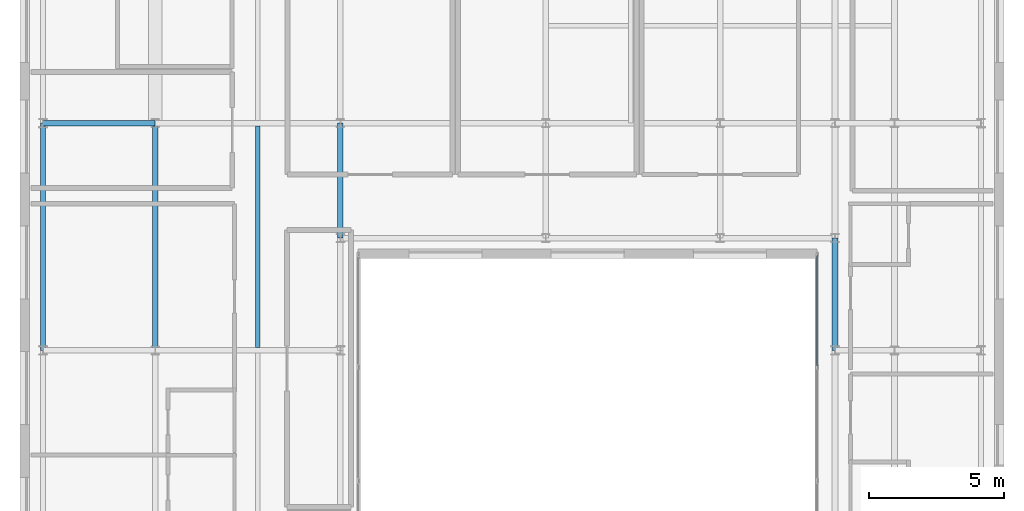
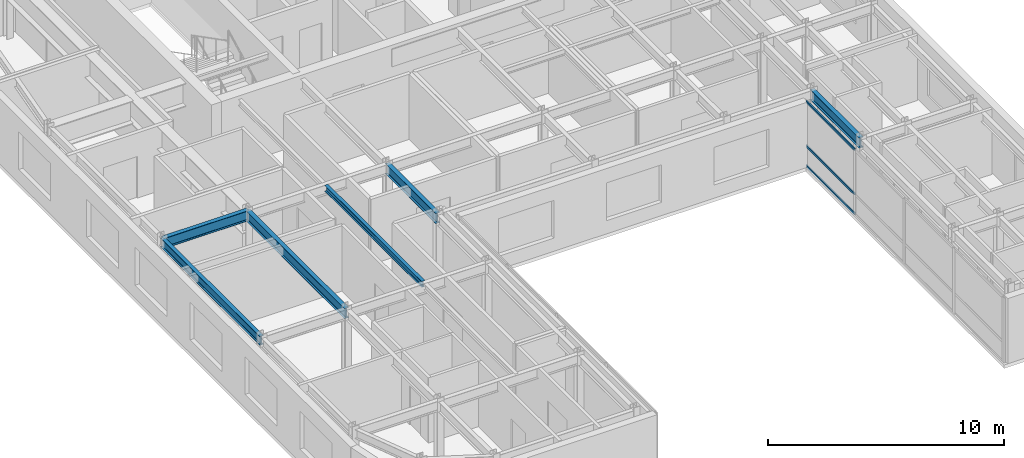
# One storey, part 8 of 18: 6 beams, 3 members, 1 element without a shape of its own.
"""IFC4 building model written with IfcOpenShell, lengths in metres."""

from ifc_helpers import new_model, si_unit, direction, frame, origin, origin_2d, place, context, subcontext, project, spatial, hollow_rectangle, i_section, extrude, source, transform, mapped, material, layer, layer_set, material_profile, profile_set, type_object, type_shapes, element, aggregate, save


model = new_model("IFC4")

# Units and contexts
model_context = context("Model", 3, precision=1e-05, world=origin(), true_north=direction((0.0, 1.0)))
body_context = subcontext(model_context, "Body", "Model", "MODEL_VIEW")
ifc_project = project(units=[si_unit("LENGTHUNIT", "METRE"), si_unit("AREAUNIT", "SQUARE_METRE"), si_unit("VOLUMEUNIT", "CUBIC_METRE"), si_unit("PLANEANGLEUNIT", "RADIAN"), si_unit("MASSUNIT", "GRAM", prefix="KILO")], contexts=[model_context])

# Site, building, storey
site_placement = place(None, origin())
site = spatial("IfcSite", under=ifc_project, at=site_placement, CompositionType="ELEMENT")
building_placement = place(site_placement, origin())
building = spatial("IfcBuilding", under=site, at=building_placement, Name="Tolvann Quenvar Hotel", CompositionType="ELEMENT")
storey_placement = place(building_placement, frame((0.0, 0.0, 252.300048828125)))
storey = spatial("IfcBuildingStorey", under=building, at=storey_placement, Name="L67", CompositionType="ELEMENT", Elevation=252.300048828125)

# Beams
ifc_material_1 = material(Name="Steel Grade 350", Category="steel")
ifc_material_profile_1 = material_profile(ifc_material_1, i_section(OverallWidth=0.208984375, OverallDepth=0.532958984375, WebThickness=0.01025390625, FlangeThickness=0.015625, FilletRadius=0.013916015625, at=origin_2d()), Name="530UB92")
ifc_profile_set_1 = profile_set([ifc_material_profile_1], Name="Steel Grade 350")
beam_type_1 = type_object("IfcBeamType", Name="BM_GIRD_530UB92", PredefinedType="BEAM", material=ifc_profile_set_1)
shared_shape_1 = source(origin(), body_context, "Body", "SweptSolid", [
    extrude(i_section(OverallWidth=0.208984375, OverallDepth=0.532958984375, WebThickness=0.01025390625, FlangeThickness=0.015625, FilletRadius=0.013916015625, at=origin_2d()), origin(), (0.0, 0.0, 1.0), 8.39990234375),
])
beam_1_placement = place(storey_placement, frame((7.60009765625, 16.0, 3.103515625), z_axis=(0.0, 1.0, 0.0), x_axis=(-1.0, 0.0, 0.0)))
element("IfcBeam", 1, at=beam_1_placement, inside=storey, type_object=beam_type_1, Name="BM-L67-NS-C4-C5", PredefinedType="BEAM", context=body_context, shape_type="MappedRepresentation", body=[
    mapped(shared_shape_1, transform((0.0, 0.0, 0.0), x_axis=(1.0, 0.0, 0.0), y_axis=(0.0, 1.0, 0.0), z_axis=(0.0, 0.0, 1.0), scale=1.0)),
])
ifc_material_profile_2 = material_profile(ifc_material_1, i_section(OverallWidth=0.19091796875, OverallDepth=0.4599609375, WebThickness=0.010009765625, FlangeThickness=0.01611328125, FilletRadius=0.011474609375, at=origin_2d()), Name="460UB82")
ifc_profile_set_2 = profile_set([ifc_material_profile_2], Name="Steel Grade 350")
beam_type_2 = type_object("IfcBeamType", Name="BM_SPAND_460UB82", PredefinedType="SPANDREL", material=ifc_profile_set_2)
shared_shape_2 = source(origin(), body_context, "Body", "SweptSolid", [
    extrude(i_section(OverallWidth=0.19091796875, OverallDepth=0.4599609375, WebThickness=0.010009765625, FlangeThickness=0.01611328125, FilletRadius=0.011474609375, at=origin_2d()), origin(), (0.0, 0.0, 1.0), 8.39990234375),
])
type_shapes(beam_type_2, [shared_shape_2])
beam_2_placement = place(storey_placement, frame((3.449951171875, 16.0, 3.139892578125), z_axis=(0.0, 1.0, 0.0), x_axis=(-1.0, 0.0, 0.0)))
element("IfcBeam", 2, at=beam_2_placement, inside=storey, type_object=beam_type_2, Name="BM-L67-NS-B4-B5", PredefinedType="SPANDREL", context=body_context, shape_type="MappedRepresentation", body=[
    mapped(shared_shape_2, transform((0.0, 0.0, 0.0), x_axis=(1.0, 0.0, 0.0), y_axis=(0.0, 1.0, 0.0), z_axis=(0.0, 0.0, 1.0), scale=1.0)),
])
shared_shape_3 = source(origin(), body_context, "Body", "SweptSolid", [
    extrude(i_section(OverallWidth=0.208984375, OverallDepth=0.532958984375, WebThickness=0.01025390625, FlangeThickness=0.015625, FilletRadius=0.013916015625, at=origin_2d()), origin(), (0.0, 0.0, 1.0), 4.150146484375),
])
beam_3_placement = place(storey_placement, frame((3.449951171875, 24.39990234375, 3.103515625), z_axis=(1.0, 0.0, 0.0), x_axis=(0.0, 1.0, 0.0)))
element("IfcBeam", 3, at=beam_3_placement, inside=storey, type_object=beam_type_1, Name="BM-L67-EW-5-B5-C5", PredefinedType="BEAM", context=body_context, shape_type="MappedRepresentation", body=[
    mapped(shared_shape_3, transform((0.0, 0.0, 0.0), x_axis=(1.0, 0.0, 0.0), y_axis=(0.0, 1.0, 0.0), z_axis=(0.0, 0.0, 1.0), scale=1.0)),
])
shared_shape_4 = source(origin(), body_context, "Body", "SweptSolid", [
    extrude(i_section(OverallWidth=0.208984375, OverallDepth=0.532958984375, WebThickness=0.01025390625, FlangeThickness=0.015625, FilletRadius=0.013916015625, at=origin_2d()), origin(), (0.0, 0.0, 1.0), 4.25),
])
beam_4_placement = place(storey_placement, frame((14.449951171875, 20.14990234375, 3.103515625), z_axis=(0.0, 1.0, 0.0), x_axis=(-1.0, 0.0, 0.0)))
element("IfcBeam", 4, at=beam_4_placement, inside=storey, type_object=beam_type_1, Name="BM-L67-NS-D4P-D5", PredefinedType="BEAM", context=body_context, shape_type="MappedRepresentation", body=[
    mapped(shared_shape_4, transform((0.0, 0.0, 0.0), x_axis=(1.0, 0.0, 0.0), y_axis=(0.0, 1.0, 0.0), z_axis=(0.0, 0.0, 1.0), scale=1.0)),
])
shared_shape_5 = source(origin(), body_context, "Body", "SweptSolid", [
    extrude(i_section(OverallWidth=0.208984375, OverallDepth=0.532958984375, WebThickness=0.01025390625, FlangeThickness=0.015625, FilletRadius=0.013916015625, at=origin_2d()), origin(), (0.0, 0.0, 1.0), 4.14990234375),
])
type_shapes(beam_type_1, [shared_shape_1, shared_shape_3, shared_shape_4, shared_shape_5])
beam_5_placement = place(storey_placement, frame((32.75, 16.0, 3.103515625), z_axis=(0.0, 1.0, 0.0), x_axis=(-1.0, 0.0, 0.0)))
element("IfcBeam", 5, at=beam_5_placement, inside=storey, type_object=beam_type_1, Name="BM-L67-NS-FP4-FP4P", PredefinedType="BEAM", context=body_context, shape_type="MappedRepresentation", body=[
    mapped(shared_shape_5, transform((0.0, 0.0, 0.0), x_axis=(1.0, 0.0, 0.0), y_axis=(0.0, 1.0, 0.0), z_axis=(0.0, 0.0, 1.0), scale=1.0)),
])
ifc_material_profile_3 = material_profile(ifc_material_1, i_section(OverallWidth=0.166015625, OverallDepth=0.306884765625, WebThickness=0.006591796875, FlangeThickness=0.01171875, FilletRadius=0.011474609375, at=origin_2d()), Name="310UB46")
ifc_profile_set_3 = profile_set([ifc_material_profile_3], Name="Steel Grade 350")
beam_type_3 = type_object("IfcBeamType", Name="BM_JOIST_310UB46", PredefinedType="JOIST", material=ifc_profile_set_3)
shared_shape_6 = source(origin(), body_context, "Body", "SweptSolid", [
    extrude(i_section(OverallWidth=0.166015625, OverallDepth=0.306884765625, WebThickness=0.006591796875, FlangeThickness=0.01171875, FilletRadius=0.011474609375, at=origin_2d()), origin(), (0.0, 0.0, 1.0), 8.203125),
])
type_shapes(beam_type_3, [shared_shape_6])
beam_6_placement = place(storey_placement, frame((11.39990234375, 16.098388671875, 3.216552734375), z_axis=(0.0, 1.0, 0.0), x_axis=(-1.0, 0.0, 0.0)))
element("IfcBeam", 6, at=beam_6_placement, inside=storey, type_object=beam_type_3, Name="BJ-L67-114-160", PredefinedType="JOIST", context=body_context, shape_type="MappedRepresentation", body=[
    mapped(shared_shape_6, transform((0.0, 0.0, 0.0), x_axis=(1.0, 0.0, 0.0), y_axis=(0.0, 1.0, 0.0), z_axis=(0.0, 0.0, 1.0), scale=1.0)),
])

# Curtain wall, members
ifc_material_2 = material(Name="Thermally broken anodised architectural aluminium 6063-T6 and laminated low-E glass", Category="aluminium")
ifc_layer = layer(ifc_material_2, 0.179931640625)
ifc_layer_set = layer_set([ifc_layer], Name="Thermally broken anodised architectural aluminium 6063-T6 and laminated low-E glass")
curtain_wall_type = type_object("IfcCurtainWallType", Name="CW_SYS_PORTAL_05", PredefinedType="USERDEFINED", material=ifc_layer_set)
curtain_wall_placement = place(storey_placement, origin())
curtain_wall = element("IfcCurtainWall", 7, at=curtain_wall_placement, inside=storey, type_object=curtain_wall_type, Name="Curtain Wall CW-PORTAL-05 (CWR-L67-E07)", ObjectType="UNITISED CURTAIN WALL", PredefinedType="USERDEFINED")
ifc_material_3 = material(Name="Anodised architectural aluminium 6063-T6 framing", Category="aluminium")
ifc_material_profile_4 = material_profile(ifc_material_3, hollow_rectangle(XDim=0.06005859375, YDim=0.1201171875, WallThickness=0.00341796875, at=origin_2d()), Name="120x60x3.5RHS")
ifc_profile_set_4 = profile_set([ifc_material_profile_4], Name="Anodised architectural aluminium 6063-T6 framing")
member_type = type_object("IfcMemberType", Name="CW_TRAN_120x60", PredefinedType="USERDEFINED", material=ifc_profile_set_4)
shared_shape_7 = source(origin(), body_context, "Body", "SweptSolid", [
    extrude(hollow_rectangle(XDim=0.06005859375, YDim=0.1201171875, WallThickness=0.00341796875, at=origin_2d()), origin(), (0.0, 0.0, 1.0), 4.094970703125),
])
type_shapes(member_type, [shared_shape_7])
member_1_placement = place(storey_placement, frame((32.090087890625, 19.5048828125, 0.030029296875), z_axis=(0.0, -1.0, 0.0), x_axis=(1.0, 0.0, 0.0)))
member_1 = element("IfcMember", 8, at=member_1_placement, type_object=member_type, Name="CW-PORTAL-05 transom 1.1", ObjectType="TRANSOM", PredefinedType="USERDEFINED", context=body_context, shape_type="MappedRepresentation", body=[
    mapped(shared_shape_7, transform((0.0, 0.0, 0.0), x_axis=(1.0, 0.0, 0.0), y_axis=(0.0, 1.0, 0.0), z_axis=(0.0, 0.0, 1.0), scale=1.0)),
])
member_2_placement = place(storey_placement, frame((32.090087890625, 19.5048828125, 1.050048828125), z_axis=(0.0, -1.0, 0.0), x_axis=(1.0, 0.0, 0.0)))
member_2 = element("IfcMember", 9, at=member_2_placement, type_object=member_type, Name="CW-PORTAL-05 transom 1.2", ObjectType="TRANSOM", PredefinedType="USERDEFINED", context=body_context, shape_type="MappedRepresentation", body=[
    mapped(shared_shape_7, transform((0.0, 0.0, 0.0), x_axis=(1.0, 0.0, 0.0), y_axis=(0.0, 1.0, 0.0), z_axis=(0.0, 0.0, 1.0), scale=1.0)),
])
member_3_placement = place(storey_placement, frame((32.090087890625, 19.5048828125, 3.33984375), z_axis=(0.0, -1.0, 0.0), x_axis=(1.0, 0.0, 0.0)))
member_3 = element("IfcMember", 10, at=member_3_placement, type_object=member_type, Name="CW-PORTAL-05 transom 1.3", ObjectType="TRANSOM", PredefinedType="USERDEFINED", context=body_context, shape_type="MappedRepresentation", body=[
    mapped(shared_shape_7, transform((0.0, 0.0, 0.0), x_axis=(1.0, 0.0, 0.0), y_axis=(0.0, 1.0, 0.0), z_axis=(0.0, 0.0, 1.0), scale=1.0)),
])
aggregate(curtain_wall, [member_1, member_2, member_3])

save(model, "model.ifc")
